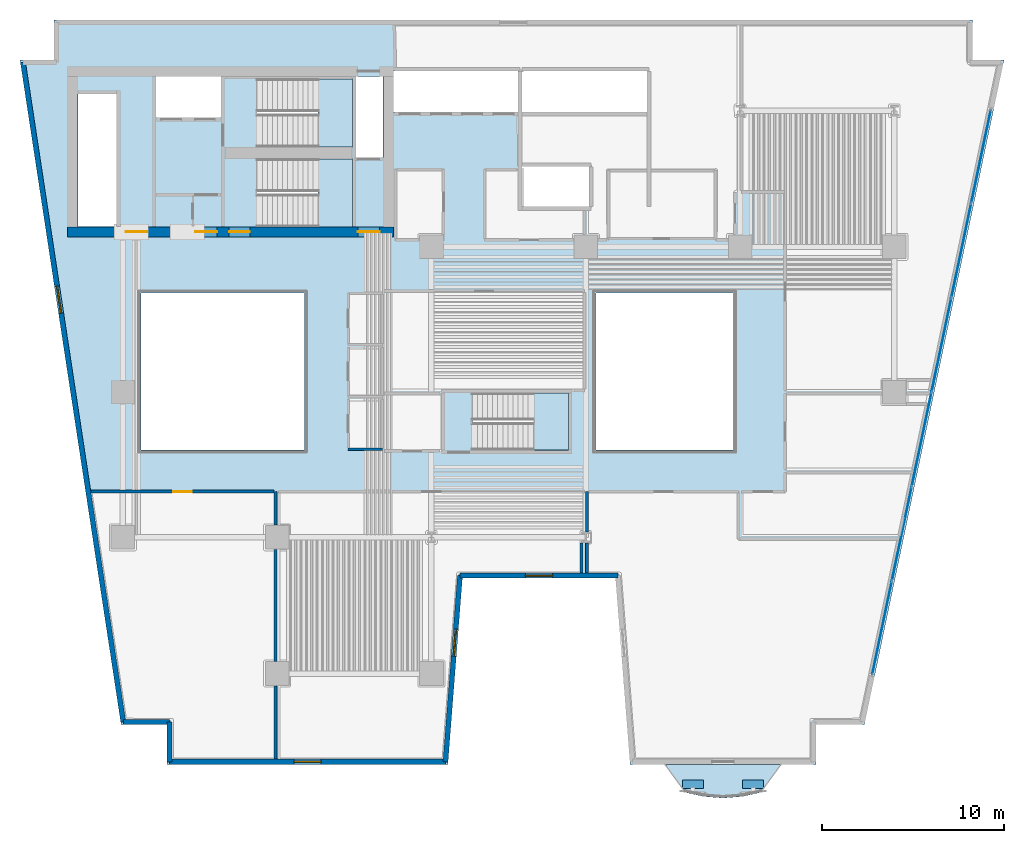
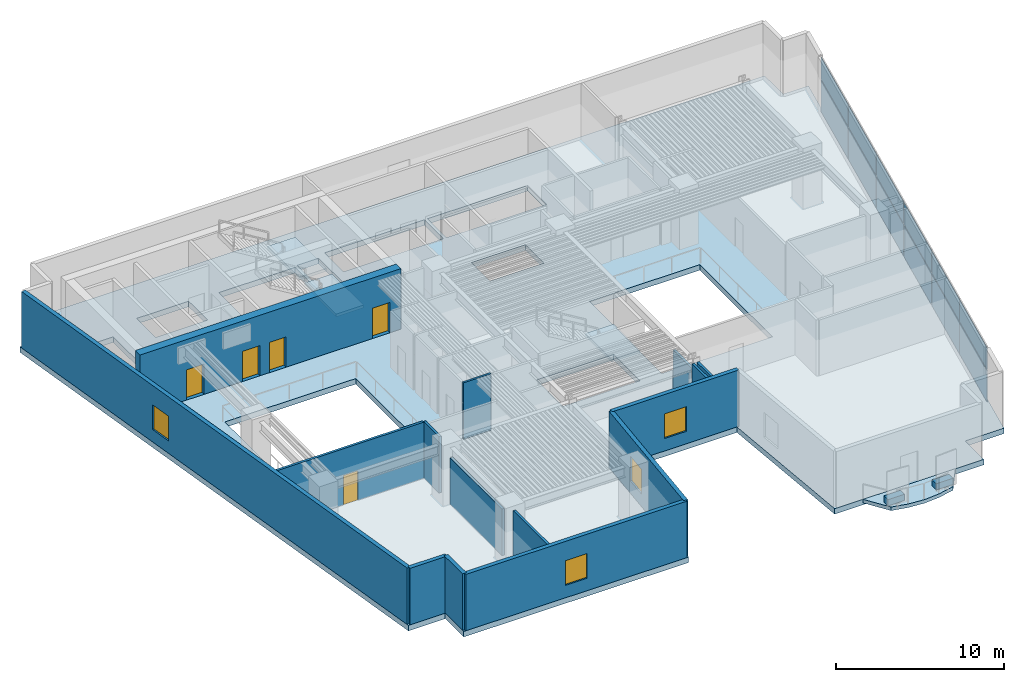
# One storey, part 3 of 12: 15 walls, 14 plates, 5 doors, 5 slabs, 4 windows, 9 openings, 4 elements without a shape of their own.
"""IFC4 building model written with IfcOpenShell, lengths in metres."""

from ifc_helpers import new_model, si_unit, direction, frame, frame_2d, origin, origin_2d, place, context, subcontext, project, spatial, polyline, rectangle, outline, extrude, material, layer, layer_set, type_object, element, fill, aggregate, save


model = new_model("IFC4")

# Units and contexts
model_context = context("Model", 3, precision=1e-05, world=origin(), true_north=direction((0.0, 1.0)))
body_context = subcontext(model_context, "Body", "Model", "MODEL_VIEW")
ifc_project = project(units=[si_unit("LENGTHUNIT", "METRE"), si_unit("AREAUNIT", "SQUARE_METRE"), si_unit("VOLUMEUNIT", "CUBIC_METRE"), si_unit("PLANEANGLEUNIT", "RADIAN"), si_unit("MASSUNIT", "GRAM", prefix="KILO")], contexts=[model_context])

# Site, building, storey
site_placement = place(None, origin())
site = spatial("IfcSite", under=ifc_project, at=site_placement, CompositionType="ELEMENT")
building_placement = place(site_placement, origin())
building = spatial("IfcBuilding", under=site, at=building_placement, Name="Caeloran Harvest Quay", CompositionType="ELEMENT")
storey_placement = place(building_placement, frame((0.0, 0.0, 27.0)))
storey = spatial("IfcBuildingStorey", under=building, at=storey_placement, Name="L06", CompositionType="ELEMENT", Elevation=27.0)

# Slab
ifc_material_1 = material(Name="Concrete C50/60", Category="concrete")
ifc_layer_1 = layer(ifc_material_1, 0.260009765625, Name="Concrete C50/60")
ifc_layer_set_1 = layer_set([ifc_layer_1], Name="Concrete C50/60")
slab_type_1 = type_object("IfcSlabType", Name="BALCONY-BL-260", PredefinedType="FLOOR", material=ifc_layer_set_1)
slab_1_placement = place(storey_placement, frame((0.0, 0.0, -0.260009765625)))
element("IfcSlab", 1, at=slab_1_placement, inside=storey, type_object=slab_type_1, Name="L06 Scalloped Cantilevered Planted Balcony Slab", PredefinedType="FLOOR", context=body_context, shape_type="SweptSolid", body=[
    extrude(outline(polyline([(43.686767578125, 0.965087890625), (42.622802734375, 0.72705078125), (41.55859375, 0.639892578125), (40.494384765625, 0.72705078125), (39.43017578125, 0.965087890625), (38.379638671875, 2.5), (44.7373046875, 2.5), (43.686767578125, 0.965087890625)])), origin(), (0.0, 0.0, 1.0), 0.260009765625),
])

# Curtain wall, plates
ifc_material_2 = material(Name="Aluminium 6063-T6 and Low-E Glazing", Category="aluminium")
ifc_layer_2 = layer(ifc_material_2, 0.199951171875, Name="Aluminium 6063-T6 and Low-E Glazing")
ifc_layer_set_2 = layer_set([ifc_layer_2], Name="Aluminium 6063-T6 and Low-E Glazing")
curtain_wall_type = type_object("IfcCurtainWallType", Name="CW-SYS-CW-2", PredefinedType="USERDEFINED", material=ifc_layer_set_2)
curtain_wall_placement = place(storey_placement, origin())
curtain_wall = element("IfcCurtainWall", 2, at=curtain_wall_placement, inside=storey, type_object=curtain_wall_type, Name="L06 Unitised Curtain Wall CW-2 Run 9", ObjectType="CURTAIN_WALL", PredefinedType="USERDEFINED")
ifc_material_3 = material(Name="Low-E Double Glazed Vision Glass Unit", Category="glass")
ifc_layer_3 = layer(ifc_material_3, 0.035888671875, Name="Low-E Double Glazed Vision Glass Unit")
ifc_layer_set_3 = layer_set([ifc_layer_3], Name="Low-E Double Glazed Vision Glass Unit")
plate_type_1 = type_object("IfcPlateType", Name="CW-VISION-PANEL", PredefinedType="CURTAIN_PANEL", material=ifc_layer_set_3)
plate_1_placement = place(storey_placement, frame((55.780029296875, 35.993408203125, 0.080078125), z_axis=(0.0, 0.0, 1.0), x_axis=(-0.205582960081, -0.978639691881, 0.0)))
plate_1 = element("IfcPlate", 3, at=plate_1_placement, type_object=plate_type_1, Name="CW-2 panel 1.1", PredefinedType="CURTAIN_PANEL", context=body_context, shape_type="SweptSolid", body=[
    extrude(rectangle(XDim=5.19873046875, YDim=0.035888671875, at=origin_2d()), origin(), (0.0, 0.0, 1.0), 2.280029296875),
])
plate_2_placement = place(storey_placement, frame((55.780029296875, 35.993408203125, 2.43994140625), z_axis=(0.0, 0.0, 1.0), x_axis=(-0.205582960081, -0.978639691881, 0.0)))
plate_2 = element("IfcPlate", 4, at=plate_2_placement, type_object=plate_type_1, Name="CW-2 panel 1.2", PredefinedType="CURTAIN_PANEL", context=body_context, shape_type="SweptSolid", body=[
    extrude(rectangle(XDim=5.19873046875, YDim=0.035888671875, at=origin_2d()), origin(), (0.0, 0.0, 1.0), 1.580078125),
])
plate_3_placement = place(storey_placement, frame((54.690673828125, 30.807861328125, 0.080078125), z_axis=(0.0, 0.0, 1.0), x_axis=(-0.205582960081, -0.978639691881, 0.0)))
plate_3 = element("IfcPlate", 5, at=plate_3_placement, type_object=plate_type_1, Name="CW-2 panel 2.1", PredefinedType="CURTAIN_PANEL", context=body_context, shape_type="SweptSolid", body=[
    extrude(rectangle(XDim=5.23876953125, YDim=0.035888671875, at=origin_2d()), origin(), (0.0, 0.0, 1.0), 2.280029296875),
])
plate_4_placement = place(storey_placement, frame((54.690673828125, 30.807861328125, 2.43994140625), z_axis=(0.0, 0.0, 1.0), x_axis=(-0.205582960081, -0.978639691881, 0.0)))
plate_4 = element("IfcPlate", 6, at=plate_4_placement, type_object=plate_type_1, Name="CW-2 panel 2.2", PredefinedType="CURTAIN_PANEL", context=body_context, shape_type="SweptSolid", body=[
    extrude(rectangle(XDim=5.23876953125, YDim=0.035888671875, at=origin_2d()), origin(), (0.0, 0.0, 1.0), 1.580078125),
])
plate_5_placement = place(storey_placement, frame((53.59716796875, 25.6025390625, 0.080078125), z_axis=(0.0, 0.0, 1.0), x_axis=(-0.205582960081, -0.978639691881, 0.0)))
plate_5 = element("IfcPlate", 7, at=plate_5_placement, type_object=plate_type_1, Name="CW-2 panel 3.1", PredefinedType="CURTAIN_PANEL", context=body_context, shape_type="SweptSolid", body=[
    extrude(rectangle(XDim=5.23876953125, YDim=0.035888671875, at=origin_2d()), origin(), (0.0, 0.0, 1.0), 2.280029296875),
])
plate_6_placement = place(storey_placement, frame((53.59716796875, 25.6025390625, 2.43994140625), z_axis=(0.0, 0.0, 1.0), x_axis=(-0.205582960081, -0.978639691881, 0.0)))
plate_6 = element("IfcPlate", 8, at=plate_6_placement, type_object=plate_type_1, Name="CW-2 panel 3.2", PredefinedType="CURTAIN_PANEL", context=body_context, shape_type="SweptSolid", body=[
    extrude(rectangle(XDim=5.23876953125, YDim=0.035888671875, at=origin_2d()), origin(), (0.0, 0.0, 1.0), 1.580078125),
])
plate_7_placement = place(storey_placement, frame((52.503662109375, 20.3974609375, 0.080078125), z_axis=(0.0, 0.0, 1.0), x_axis=(-0.205582960081, -0.978639691881, 0.0)))
plate_7 = element("IfcPlate", 9, at=plate_7_placement, type_object=plate_type_1, Name="CW-2 panel 4.1", PredefinedType="CURTAIN_PANEL", context=body_context, shape_type="SweptSolid", body=[
    extrude(rectangle(XDim=5.23876953125, YDim=0.035888671875, at=origin_2d()), origin(), (0.0, 0.0, 1.0), 2.280029296875),
])
plate_8_placement = place(storey_placement, frame((52.503662109375, 20.3974609375, 2.43994140625), z_axis=(0.0, 0.0, 1.0), x_axis=(-0.205582960081, -0.978639691881, 0.0)))
plate_8 = element("IfcPlate", 10, at=plate_8_placement, type_object=plate_type_1, Name="CW-2 panel 4.2", PredefinedType="CURTAIN_PANEL", context=body_context, shape_type="SweptSolid", body=[
    extrude(rectangle(XDim=5.23876953125, YDim=0.035888671875, at=origin_2d()), origin(), (0.0, 0.0, 1.0), 1.580078125),
])
plate_9_placement = place(storey_placement, frame((51.41015625, 15.192138671875, 0.080078125), z_axis=(0.0, 0.0, 1.0), x_axis=(-0.205582960081, -0.978639691881, 0.0)))
plate_9 = element("IfcPlate", 11, at=plate_9_placement, type_object=plate_type_1, Name="CW-2 panel 5.1", PredefinedType="CURTAIN_PANEL", context=body_context, shape_type="SweptSolid", body=[
    extrude(rectangle(XDim=5.23876953125, YDim=0.035888671875, at=origin_2d()), origin(), (0.0, 0.0, 1.0), 2.280029296875),
])
plate_10_placement = place(storey_placement, frame((51.41015625, 15.192138671875, 2.43994140625), z_axis=(0.0, 0.0, 1.0), x_axis=(-0.205582960081, -0.978639691881, 0.0)))
plate_10 = element("IfcPlate", 12, at=plate_10_placement, type_object=plate_type_1, Name="CW-2 panel 5.2", PredefinedType="CURTAIN_PANEL", context=body_context, shape_type="SweptSolid", body=[
    extrude(rectangle(XDim=5.23876953125, YDim=0.035888671875, at=origin_2d()), origin(), (0.0, 0.0, 1.0), 1.580078125),
])
plate_11_placement = place(storey_placement, frame((50.321044921875, 10.006591796875, 0.080078125), z_axis=(0.0, 0.0, 1.0), x_axis=(-0.205582960081, -0.978639691881, 0.0)))
plate_11 = element("IfcPlate", 13, at=plate_11_placement, type_object=plate_type_1, Name="CW-2 panel 6.1", PredefinedType="CURTAIN_PANEL", context=body_context, shape_type="SweptSolid", body=[
    extrude(rectangle(XDim=5.19873046875, YDim=0.035888671875, at=origin_2d()), origin(), (0.0, 0.0, 1.0), 2.280029296875),
])
plate_12_placement = place(storey_placement, frame((50.321044921875, 10.006591796875, 2.43994140625), z_axis=(0.0, 0.0, 1.0), x_axis=(-0.205582960081, -0.978639691881, 0.0)))
plate_12 = element("IfcPlate", 14, at=plate_12_placement, type_object=plate_type_1, Name="CW-2 panel 6.2", PredefinedType="CURTAIN_PANEL", context=body_context, shape_type="SweptSolid", body=[
    extrude(rectangle(XDim=5.19873046875, YDim=0.035888671875, at=origin_2d()), origin(), (0.0, 0.0, 1.0), 1.580078125),
])
aggregate(curtain_wall, [plate_1, plate_2, plate_3, plate_4, plate_5, plate_6, plate_7, plate_8, plate_9, plate_10, plate_11, plate_12])

# Plates
ifc_material_4 = material(Name="Precast concrete C50/60", Category="concrete")
ifc_layer_4 = layer(ifc_material_4, 0.449951171875, Name="Precast concrete C50/60")
ifc_layer_set_4 = layer_set([ifc_layer_4], Name="Precast concrete C50/60")
plate_type_2 = type_object("IfcPlateType", Name="PLANTER-TROUGH-450", PredefinedType="USERDEFINED", material=ifc_layer_set_4)
for number, where, z_axis, x_axis, name in (
    (15, (43.218505859375, 1.39990234375, 0.0), (0.0, 0.0, 1.0), (1.0, 0.0, 0.0), "L06 Balcony Vertical-Greenery Precast PLANTER Trough 1"),
    (16, (39.8984375, 1.39990234375, 0.0), (0.0, 0.0, 1.0), (1.0, 0.0, 0.0), "L06 Balcony Vertical-Greenery Precast PLANTER Trough 2"),
):
    element("IfcPlate", number, at=place(storey_placement, frame(where, z_axis=z_axis, x_axis=x_axis)), inside=storey, type_object=plate_type_2, Name=name, ObjectType="PLANTER", PredefinedType="USERDEFINED", context=body_context, shape_type="SweptSolid", body=[
        extrude(rectangle(XDim=1.14990234375, YDim=0.47998046875, at=origin_2d()), origin(), (0.0, 0.0, 1.0), 0.449951171875),
    ])

# Slab
ifc_layer_5 = layer(ifc_material_1, 0.39990234375, Name="Concrete C50/60")
ifc_layer_set_5 = layer_set([ifc_layer_5], Name="Concrete C50/60")
slab_type_2 = type_object("IfcSlabType", Name="SLAB-FS-400", PredefinedType="FLOOR", material=ifc_layer_set_5)
slab_2_placement = place(storey_placement, frame((0.0, 0.0, -0.39990234375)))
element("IfcSlab", 17, at=slab_2_placement, inside=storey, type_object=slab_type_2, Name="L06 Structural Floor Slab", PredefinedType="FLOOR", context=body_context, shape_type="SweptSolid", body=[
    extrude(outline(polyline([(10.93701171875, 2.5), (26.403076171875, 2.5), (27.202880859375, 12.75), (35.640380859375, 12.75), (36.4404296875, 2.5), (46.68701171875, 2.5), (46.68701171875, 4.699951171875), (49.34912109375, 4.699951171875), (57.037841796875, 41.300048828125), (55.300048828125, 41.300048828125), (55.300048828125, 43.5), (4.699951171875, 43.5), (4.699951171875, 41.300048828125), (2.834716796875, 41.300048828125), (8.40234375, 4.699951171875), (10.93701171875, 4.699951171875), (10.93701171875, 2.5)]), holes=[polyline([(18.5, 19.800048828125), (9.5, 19.800048828125), (9.5, 28.449951171875), (18.5, 28.449951171875), (18.5, 19.800048828125)]), polyline([(15.89990234375, 32.10009765625), (15.89990234375, 35.85009765625), (21.14990234375, 35.85009765625), (21.14990234375, 32.10009765625), (15.89990234375, 32.10009765625)]), polyline([(8.159912109375, 32.1201171875), (6.02001953125, 32.1201171875), (6.02001953125, 39.419921875), (8.159912109375, 39.419921875), (8.159912109375, 32.1201171875)]), polyline([(21.35009765625, 35.919921875), (21.35009765625, 40.3798828125), (22.830078125, 40.3798828125), (22.830078125, 35.919921875), (21.35009765625, 35.919921875)]), polyline([(15.89990234375, 40.25), (21.14990234375, 40.25), (21.14990234375, 36.5), (15.89990234375, 36.5), (15.89990234375, 40.25)]), polyline([(13.89990234375, 38.1201171875), (10.320068359375, 38.1201171875), (10.320068359375, 40.3798828125), (13.89990234375, 40.3798828125), (13.89990234375, 38.1201171875)]), polyline([(27.75, 22.949951171875), (33.050048828125, 22.949951171875), (33.050048828125, 19.800048828125), (27.75, 19.800048828125), (27.75, 22.949951171875)]), polyline([(34.550048828125, 19.800048828125), (34.550048828125, 28.449951171875), (42.14990234375, 28.449951171875), (42.14990234375, 19.800048828125), (34.550048828125, 19.800048828125)]), polyline([(34.199951171875, 33.219970703125), (30.47998046875, 33.219970703125), (30.47998046875, 35.429931640625), (34.199951171875, 35.429931640625), (34.199951171875, 33.219970703125)]), polyline([(23.419921875, 38.419921875), (23.419921875, 40.679931640625), (30.280029296875, 40.679931640625), (30.280029296875, 38.419921875), (23.419921875, 38.419921875)]), polyline([(30.47998046875, 38.419921875), (30.47998046875, 40.679931640625), (37.3798828125, 40.679931640625), (37.3798828125, 38.419921875), (30.47998046875, 38.419921875)])]), origin(), (0.0, 0.0, 1.0), 0.39990234375),
])

# Stair, slab
stair_type_1 = type_object("IfcStairType", Name="STAIR-STC-180", PredefinedType="HALF_TURN_STAIR", material=ifc_material_1)
stair_1_placement = place(storey_placement, origin())
stair_1 = element("IfcStair", 18, at=stair_1_placement, inside=storey, type_object=stair_type_1, Name="L06 Core Pressurized Exit Stair ST-C1", PredefinedType="HALF_TURN_STAIR")
ifc_layer_6 = layer(ifc_material_1, 0.219970703125, Name="Concrete C50/60")
ifc_layer_set_6 = layer_set([ifc_layer_6], Name="Concrete C50/60")
slab_type_3 = type_object("IfcSlabType", Name="STAIR-LANDING-220", PredefinedType="LANDING", material=ifc_layer_set_6)
slab_3_placement = place(storey_placement, frame((0.0, 0.0, 2.0)))
slab_3 = element("IfcSlab", 19, at=slab_3_placement, type_object=slab_type_3, Name="ST-C1 landing 1", PredefinedType="LANDING", context=body_context, shape_type="SweptSolid", body=[
    extrude(outline(polyline([(19.260009765625, 36.5), (21.14990234375, 36.5), (21.14990234375, 40.25), (19.260009765625, 40.25), (19.260009765625, 36.5)])), origin(), (0.0, 0.0, 1.0), 0.199951171875),
])
aggregate(stair_1, [slab_3])

stair_2_placement = place(storey_placement, origin())
stair_2 = element("IfcStair", 20, at=stair_2_placement, inside=storey, type_object=stair_type_1, Name="L06 Core Pressurized Exit Stair ST-C2", PredefinedType="HALF_TURN_STAIR")
slab_4_placement = place(storey_placement, frame((0.0, 0.0, 2.0)))
slab_4 = element("IfcSlab", 21, at=slab_4_placement, type_object=slab_type_3, Name="ST-C2 landing 1", PredefinedType="LANDING", context=body_context, shape_type="SweptSolid", body=[
    extrude(outline(polyline([(19.260009765625, 32.10009765625), (21.14990234375, 32.10009765625), (21.14990234375, 35.85009765625), (19.260009765625, 35.85009765625), (19.260009765625, 32.10009765625)])), origin(), (0.0, 0.0, 1.0), 0.199951171875),
])
aggregate(stair_2, [slab_4])

stair_type_2 = type_object("IfcStairType", Name="STAIR-STW-150", PredefinedType="HALF_TURN_STAIR", material=ifc_material_1)
stair_3_placement = place(storey_placement, origin())
stair_3 = element("IfcStair", 22, at=stair_3_placement, inside=storey, type_object=stair_type_2, Name="L06 East Wing Protected Exit Stair ST-W1", PredefinedType="HALF_TURN_STAIR")
slab_5_placement = place(storey_placement, frame((0.0, 0.0, 2.0)))
slab_5 = element("IfcSlab", 23, at=slab_5_placement, type_object=slab_type_3, Name="ST-W1 landing 1", PredefinedType="LANDING", context=body_context, shape_type="SweptSolid", body=[
    extrude(outline(polyline([(31.110107421875, 19.800048828125), (33.050048828125, 19.800048828125), (33.050048828125, 22.949951171875), (31.110107421875, 22.949951171875), (31.110107421875, 19.800048828125)])), origin(), (0.0, 0.0, 1.0), 0.199951171875),
])
aggregate(stair_3, [slab_5])

# Walls
ifc_layer_7 = layer(ifc_material_4, 0.280029296875, Name="Precast concrete C50/60")
ifc_layer_set_7 = layer_set([ifc_layer_7], Name="Precast concrete C50/60")
wall_type_1 = type_object("IfcWallType", Name="ENV-WALL-EW-280", PredefinedType="STANDARD", material=ifc_layer_set_7)
wall_1_placement = place(storey_placement, frame((11.076904296875, 2.639892578125, 0.0), z_axis=(0.0, 0.0, 1.0), x_axis=(0.0, 1.0, 0.0)))
element("IfcWall", 24, at=wall_1_placement, inside=storey, type_object=wall_type_1, Name="L06 Exterior Precast Concrete Facade Wall 1", PredefinedType="STANDARD", context=body_context, shape_type="SweptSolid", body=[
    extrude(rectangle(XDim=2.2001953125, YDim=0.280029296875, at=frame_2d((1.10009765625, 0.0))), origin(), (0.0, 0.0, 1.0), 4.10009765625),
])
wall_2_placement = place(storey_placement, frame((11.076904296875, 4.840087890625, 0.0), z_axis=(0.0, 0.0, 1.0), x_axis=(-1.0, 0.0, 0.0)))
element("IfcWall", 25, at=wall_2_placement, inside=storey, type_object=wall_type_1, Name="L06 Exterior Precast Concrete Facade Wall 2", PredefinedType="STANDARD", context=body_context, shape_type="SweptSolid", body=[
    extrude(rectangle(XDim=2.55419921875, YDim=0.280029296875, at=frame_2d((1.277099609375, 0.0))), origin(), (0.0, 0.0, 1.0), 4.10009765625),
])

# Wall, opening, window
wall_3_placement = place(storey_placement, frame((8.522705078125, 4.840087890625, 0.0), z_axis=(0.0, 0.0, 1.0), x_axis=(-0.150394554312, 0.988626055712, 0.0)))
wall_3 = element("IfcWall", 26, at=wall_3_placement, inside=storey, type_object=wall_type_1, Name="L06 Exterior Precast Concrete Facade Wall 3", PredefinedType="STANDARD", context=body_context, shape_type="SweptSolid", body=[
    extrude(rectangle(XDim=36.73779296875, YDim=0.280029296875, at=frame_2d((18.368896484375, 0.0))), origin(), (0.0, 0.0, 1.0), 4.10009765625),
])
opening_1_placement = place(wall_3_placement, frame((22.761962890625, 0.0, 0.89990234375)))
opening_1 = element("IfcOpeningElement", 27, at=opening_1_placement, cuts=wall_3, Name="Opening W-03", PredefinedType="OPENING", context=body_context, shape_type="SweptSolid", body=[
    extrude(rectangle(XDim=1.5, YDim=1.800048828125, at=frame_2d((0.75, 0.89990234375))), frame((0.0, 0.14990234375, 0.0), z_axis=(0.0, -1.0, 0.0), x_axis=(1.0, 0.0, 0.0)), (0.0, 0.0, 1.0), 0.300048828125),
])
ifc_material_5 = material(Name="Aluminium-Framed Low-E Laminated Glass", Category="aluminium")
window_type = type_object("IfcWindowType", Name="WIN-W-03", PartitioningType="SINGLE_PANEL", PredefinedType="WINDOW", material=ifc_material_5)
window_1_placement = place(opening_1_placement, origin())
window_1 = element("IfcWindow", 28, at=window_1_placement, inside=storey, type_object=window_type, Name="L06 Facade Punched Window W-03", OverallHeight=1.800048828125, OverallWidth=1.5, PartitioningType="SINGLE_PANEL", PredefinedType="WINDOW", context=body_context, shape_type="SweptSolid", body=[
    extrude(rectangle(XDim=1.5, YDim=1.800048828125, at=frame_2d((0.75, 0.89990234375))), frame((0.0, 0.030029296875, 0.0), z_axis=(0.0, -1.0, 0.0), x_axis=(1.0, 0.0, 0.0)), (0.0, 0.0, 1.0), 0.06005859375),
])
fill(opening_1, window_1)

wall_4_placement = place(storey_placement, frame((35.77001953125, 12.889892578125, 0.0), z_axis=(0.0, 0.0, 1.0), x_axis=(-1.0, 0.0, 0.0)))
wall_4 = element("IfcWall", 29, at=wall_4_placement, inside=storey, type_object=wall_type_1, Name="L06 Exterior Precast Concrete Facade Wall 14", PredefinedType="STANDARD", context=body_context, shape_type="SweptSolid", body=[
    extrude(rectangle(XDim=8.696533203125, YDim=0.280029296875, at=frame_2d((4.34814453125, 0.0))), origin(), (0.0, 0.0, 1.0), 4.10009765625),
])
opening_2_placement = place(wall_4_placement, frame((3.597900390625, 0.0, 0.89990234375)))
opening_2 = element("IfcOpeningElement", 30, at=opening_2_placement, cuts=wall_4, Name="Opening W-03", PredefinedType="OPENING", context=body_context, shape_type="SweptSolid", body=[
    extrude(rectangle(XDim=1.5, YDim=1.800048828125, at=frame_2d((0.75, 0.89990234375))), frame((0.0, 0.14990234375, 0.0), z_axis=(0.0, -1.0, 0.0), x_axis=(1.0, 0.0, 0.0)), (0.0, 0.0, 1.0), 0.300048828125),
])
window_2_placement = place(opening_2_placement, origin())
window_2 = element("IfcWindow", 31, at=window_2_placement, inside=storey, type_object=window_type, Name="L06 Facade Punched Window W-03", OverallHeight=1.800048828125, OverallWidth=1.5, PartitioningType="SINGLE_PANEL", PredefinedType="WINDOW", context=body_context, shape_type="SweptSolid", body=[
    extrude(rectangle(XDim=1.5, YDim=1.800048828125, at=frame_2d((0.75, 0.89990234375))), frame((0.0, 0.030029296875, 0.0), z_axis=(0.0, -1.0, 0.0), x_axis=(1.0, 0.0, 0.0)), (0.0, 0.0, 1.0), 0.06005859375),
])
fill(opening_2, window_2)

wall_5_placement = place(storey_placement, frame((27.073486328125, 12.889892578125, 0.0), z_axis=(0.0, 0.0, 1.0), x_axis=(-0.077816860153, -0.996967670627, 0.0)))
wall_5 = element("IfcWall", 32, at=wall_5_placement, inside=storey, type_object=wall_type_1, Name="L06 Exterior Precast Concrete Facade Wall 15", PredefinedType="STANDARD", context=body_context, shape_type="SweptSolid", body=[
    extrude(rectangle(XDim=10.28125, YDim=0.280029296875, at=frame_2d((5.140625, 0.0))), origin(), (0.0, 0.0, 1.0), 4.10009765625),
])
opening_3_placement = place(wall_5_placement, frame((2.950927734375, 0.0, 0.89990234375)))
opening_3 = element("IfcOpeningElement", 33, at=opening_3_placement, cuts=wall_5, Name="Opening W-03", PredefinedType="OPENING", context=body_context, shape_type="SweptSolid", body=[
    extrude(rectangle(XDim=1.5, YDim=1.800048828125, at=frame_2d((0.75, 0.89990234375))), frame((0.0, 0.14990234375, 0.0), z_axis=(0.0, -1.0, 0.0), x_axis=(1.0, 0.0, 0.0)), (0.0, 0.0, 1.0), 0.300048828125),
])
window_3_placement = place(opening_3_placement, origin())
window_3 = element("IfcWindow", 34, at=window_3_placement, inside=storey, type_object=window_type, Name="L06 Facade Punched Window W-03", OverallHeight=1.800048828125, OverallWidth=1.5, PartitioningType="SINGLE_PANEL", PredefinedType="WINDOW", context=body_context, shape_type="SweptSolid", body=[
    extrude(rectangle(XDim=1.5, YDim=1.800048828125, at=frame_2d((0.75, 0.89990234375))), frame((0.0, 0.030029296875, 0.0), z_axis=(0.0, -1.0, 0.0), x_axis=(1.0, 0.0, 0.0)), (0.0, 0.0, 1.0), 0.06005859375),
])
fill(opening_3, window_3)

wall_6_placement = place(storey_placement, frame((26.2734375, 2.639892578125, 0.0), z_axis=(0.0, 0.0, 1.0), x_axis=(-1.0, 0.0, 0.0)))
wall_6 = element("IfcWall", 35, at=wall_6_placement, inside=storey, type_object=wall_type_1, Name="L06 Exterior Precast Concrete Facade Wall 16", PredefinedType="STANDARD", context=body_context, shape_type="SweptSolid", body=[
    extrude(rectangle(XDim=15.196533203125, YDim=0.280029296875, at=frame_2d((7.59814453125, 0.0))), origin(), (0.0, 0.0, 1.0), 4.10009765625),
])
opening_4_placement = place(wall_6_placement, frame((6.847900390625, 0.0, 0.89990234375)))
opening_4 = element("IfcOpeningElement", 36, at=opening_4_placement, cuts=wall_6, Name="Opening W-03", PredefinedType="OPENING", context=body_context, shape_type="SweptSolid", body=[
    extrude(rectangle(XDim=1.5, YDim=1.800048828125, at=frame_2d((0.75, 0.89990234375))), frame((0.0, 0.14990234375, 0.0), z_axis=(0.0, -1.0, 0.0), x_axis=(1.0, 0.0, 0.0)), (0.0, 0.0, 1.0), 0.300048828125),
])
window_4_placement = place(opening_4_placement, origin())
window_4 = element("IfcWindow", 37, at=window_4_placement, inside=storey, type_object=window_type, Name="L06 Facade Punched Window W-03", OverallHeight=1.800048828125, OverallWidth=1.5, PartitioningType="SINGLE_PANEL", PredefinedType="WINDOW", context=body_context, shape_type="SweptSolid", body=[
    extrude(rectangle(XDim=1.5, YDim=1.800048828125, at=frame_2d((0.75, 0.89990234375))), frame((0.0, 0.030029296875, 0.0), z_axis=(0.0, -1.0, 0.0), x_axis=(1.0, 0.0, 0.0)), (0.0, 0.0, 1.0), 0.06005859375),
])
fill(opening_4, window_4)

# Walls
ifc_material_6 = material(Name="Moisture-Resistant Cement-Board Sanitary Partition", Category="gypsum")
ifc_layer_8 = layer(ifc_material_6, 0.139892578125, Name="Moisture-Resistant Cement-Board Sanitary Partition")
ifc_layer_set_8 = layer_set([ifc_layer_8], Name="Moisture-Resistant Cement-Board Sanitary Partition")
wall_type_2 = type_object("IfcWallType", Name="INT-WALL-PW-140", PredefinedType="PARTITIONING", material=ifc_layer_set_8)
wall_7_placement = place(storey_placement, frame((22.800048828125, 19.85009765625, 0.0), z_axis=(0.0, 0.0, 1.0), x_axis=(-1.0, 0.0, 0.0)))
element("IfcWall", 38, at=wall_7_placement, inside=storey, type_object=wall_type_2, Name="L06 Accessible Unisex Washroom WC Partition Wall", PredefinedType="PARTITIONING", context=body_context, shape_type="SweptSolid", body=[
    extrude(rectangle(XDim=1.89013671875, YDim=0.139892578125, at=frame_2d((0.945068359375, 0.0))), origin(), (0.0, 0.0, 1.0), 4.10009765625),
])
ifc_material_7 = material(Name="Autoclaved Aerated Concrete Blockwork", Category="masonry")
ifc_layer_9 = layer(ifc_material_7, 0.1650390625, Name="Autoclaved Aerated Concrete Blockwork")
ifc_layer_set_9 = layer_set([ifc_layer_9], Name="Autoclaved Aerated Concrete Blockwork")
wall_type_3 = type_object("IfcWallType", Name="INT-WALL-PW-165", PredefinedType="PARTITIONING", material=ifc_layer_set_9)
wall_8_placement = place(storey_placement, frame((34.080078125, 13.034912109375, 0.0), z_axis=(0.0, 0.0, 1.0), x_axis=(0.0, 1.0, 0.0)))
element("IfcWall", 39, at=wall_8_placement, inside=storey, type_object=wall_type_3, Name="Leafy-Greens Hydroponic Growing Hall Partition Wall", PredefinedType="PARTITIONING", context=body_context, shape_type="SweptSolid", body=[
    extrude(rectangle(XDim=1.655517578125, YDim=0.1650390625, at=frame_2d((0.82763671875, 0.0))), origin(), (0.0, 0.0, 1.0), 4.10009765625),
])
wall_9_placement = place(storey_placement, frame((34.080078125, 15.3095703125, 0.0), z_axis=(0.0, 0.0, 1.0), x_axis=(0.0, 1.0, 0.0)))
element("IfcWall", 40, at=wall_9_placement, inside=storey, type_object=wall_type_3, Name="Leafy-Greens Hydroponic Growing Hall Partition Wall", PredefinedType="PARTITIONING", context=body_context, shape_type="SweptSolid", body=[
    extrude(rectangle(XDim=2.21044921875, YDim=0.1650390625, at=frame_2d((1.105224609375, 0.0))), origin(), (0.0, 0.0, 1.0), 3.284912109375),
])
wall_10_placement = place(storey_placement, frame((16.919921875, 17.52001953125, 0.0), z_axis=(0.0, 0.0, 1.0), x_axis=(0.0, -1.0, 0.0)))
element("IfcWall", 41, at=wall_10_placement, inside=storey, type_object=wall_type_3, Name="Aeroponic Root-Mist Growing Chamber Partition Wall", PredefinedType="PARTITIONING", context=body_context, shape_type="SweptSolid", body=[
    extrude(rectangle(XDim=1.844970703125, YDim=0.1650390625, at=frame_2d((0.92236328125, 0.0))), origin(), (0.0, 0.0, 1.0), 4.10009765625),
])
wall_11_placement = place(storey_placement, frame((16.919921875, 14.324951171875, 0.0), z_axis=(0.0, 0.0, 1.0), x_axis=(0.0, -1.0, 0.0)))
element("IfcWall", 42, at=wall_11_placement, inside=storey, type_object=wall_type_3, Name="Aeroponic Root-Mist Growing Chamber Partition Wall", PredefinedType="PARTITIONING", context=body_context, shape_type="SweptSolid", body=[
    extrude(rectangle(XDim=6.14990234375, YDim=0.1650390625, at=frame_2d((3.074951171875, 0.0))), origin(), (0.0, 0.0, 1.0), 3.385009765625),
])
wall_12_placement = place(storey_placement, frame((16.919921875, 6.824951171875, 0.0), z_axis=(0.0, 0.0, 1.0), x_axis=(0.0, -1.0, 0.0)))
element("IfcWall", 43, at=wall_12_placement, inside=storey, type_object=wall_type_3, Name="Aeroponic Root-Mist Growing Chamber Partition Wall", PredefinedType="PARTITIONING", context=body_context, shape_type="SweptSolid", body=[
    extrude(rectangle(XDim=4.0400390625, YDim=0.1650390625, at=frame_2d((2.02001953125, 0.0))), origin(), (0.0, 0.0, 1.0), 4.10009765625),
])

# Wall, opening, door
wall_13_placement = place(storey_placement, frame((6.740478515625, 17.52001953125, 0.0), z_axis=(0.0, 0.0, 1.0), x_axis=(1.0, 0.0, 0.0)))
wall_13 = element("IfcWall", 44, at=wall_13_placement, inside=storey, type_object=wall_type_3, Name="Aeroponic Root-Mist Growing Chamber Partition Wall", PredefinedType="PARTITIONING", context=body_context, shape_type="SweptSolid", body=[
    extrude(rectangle(XDim=10.092041015625, YDim=0.1650390625, at=frame_2d((5.0458984375, 0.0))), origin(), (0.0, 0.0, 1.0), 4.10009765625),
])
opening_5_placement = place(wall_13_placement, frame((4.5458984375, 0.0, 0.0)))
opening_5 = element("IfcOpeningElement", 45, at=opening_5_placement, cuts=wall_13, Name="Opening ID-01", PredefinedType="OPENING", context=body_context, shape_type="SweptSolid", body=[
    extrude(rectangle(XDim=1.0, YDim=2.14990234375, at=frame_2d((0.5, 1.074951171875))), frame((0.0, 0.092529296875, 0.0), z_axis=(0.0, -1.0, 0.0), x_axis=(1.0, 0.0, 0.0)), (0.0, 0.0, 1.0), 0.18505859375),
])
ifc_material_8 = material(Name="FSC Solid-Core Ash Timber and Acoustic Seal", Category="wood")
door_type_1 = type_object("IfcDoorType", Name="INTDOOR-ID-01", OperationType="NOTDEFINED", PredefinedType="DOOR", material=ifc_material_8)
door_1_placement = place(opening_5_placement, origin())
door_1 = element("IfcDoor", 46, at=door_1_placement, inside=storey, type_object=door_type_1, Name="Aeroponic Root-Mist Growing Chamber Access Door", OperationType="SINGLE_SWING_RIGHT", OverallHeight=2.14990234375, OverallWidth=1.0, PredefinedType="DOOR", context=body_context, shape_type="SweptSolid", body=[
    extrude(rectangle(XDim=1.0, YDim=2.14990234375, at=frame_2d((0.5, 1.074951171875))), frame((0.0, 0.02490234375, 0.0), z_axis=(0.0, -1.0, 0.0), x_axis=(1.0, 0.0, 0.0)), (0.0, 0.0, 1.0), 0.050048828125),
])
fill(opening_5, door_1)

# Wall
wall_14_placement = place(storey_placement, frame((33.758056640625, 14.6904296875, 0.0), z_axis=(0.0, 0.0, 1.0), x_axis=(0.0, -1.0, 0.0)))
element("IfcWall", 47, at=wall_14_placement, inside=storey, type_object=wall_type_3, Name="Seedling Nursery Room Partition Wall", PredefinedType="PARTITIONING", context=body_context, shape_type="SweptSolid", body=[
    extrude(rectangle(XDim=1.655517578125, YDim=0.1650390625, at=frame_2d((0.82763671875, 0.0))), origin(), (0.0, 0.0, 1.0), 4.10009765625),
])

# Wall, openings, doors
ifc_material_9 = material(Name="Concrete C80/95", Category="concrete")
ifc_layer_10 = layer(ifc_material_9, 0.550048828125, Name="Concrete C80/95")
ifc_layer_set_10 = layer_set([ifc_layer_10], Name="Concrete C80/95")
wall_type_4 = type_object("IfcWallType", Name="STR-WALL-CW-550", PredefinedType="SHEAR", material=ifc_layer_set_10)
wall_15_placement = place(storey_placement, frame((5.449951171875, 31.824951171875, 0.0), z_axis=(0.0, 0.0, 1.0), x_axis=(1.0, 0.0, 0.0)))
wall_15 = element("IfcWall", 48, at=wall_15_placement, inside=storey, type_object=wall_type_4, Name="L06 Rear Core Shear Wall S", PredefinedType="SHEAR", context=body_context, shape_type="SweptSolid", body=[
    extrude(rectangle(XDim=17.949951171875, YDim=0.550048828125, at=frame_2d((8.97509765625, 0.0))), origin(), (0.0, 0.0, 1.0), 4.39990234375),
])
opening_6_placement = place(wall_15_placement, frame((3.199951171875, 0.0, 0.0)))
opening_6 = element("IfcOpeningElement", 49, at=opening_6_placement, cuts=wall_15, Name="Opening FD-01", PredefinedType="OPENING", context=body_context, shape_type="SweptSolid", body=[
    extrude(rectangle(XDim=1.199951171875, YDim=2.199951171875, at=frame_2d((0.60009765625, 1.10009765625))), frame((0.0, 0.28515625, 0.0), z_axis=(0.0, -1.0, 0.0), x_axis=(1.0, 0.0, 0.0)), (0.0, 0.0, 1.0), 0.570068359375),
])
opening_7_placement = place(wall_15_placement, frame((7.050048828125, 0.0, 0.0)))
opening_7 = element("IfcOpeningElement", 50, at=opening_7_placement, cuts=wall_15, Name="Opening FD-01", PredefinedType="OPENING", context=body_context, shape_type="SweptSolid", body=[
    extrude(rectangle(XDim=1.199951171875, YDim=2.199951171875, at=frame_2d((0.60009765625, 1.10009765625))), frame((0.0, 0.28515625, 0.0), z_axis=(0.0, -1.0, 0.0), x_axis=(1.0, 0.0, 0.0)), (0.0, 0.0, 1.0), 0.570068359375),
])
opening_8_placement = place(wall_15_placement, frame((8.89990234375, 0.0, 0.0)))
opening_8 = element("IfcOpeningElement", 51, at=opening_8_placement, cuts=wall_15, Name="Opening SD-01", PredefinedType="OPENING", context=body_context, shape_type="SweptSolid", body=[
    extrude(rectangle(XDim=1.14990234375, YDim=2.199951171875, at=frame_2d((0.574951171875, 1.10009765625))), frame((0.0, 0.28515625, 0.0), z_axis=(0.0, -1.0, 0.0), x_axis=(1.0, 0.0, 0.0)), (0.0, 0.0, 1.0), 0.570068359375),
])
opening_9_placement = place(wall_15_placement, frame((16.0, 0.0, 0.0)))
opening_9 = element("IfcOpeningElement", 52, at=opening_9_placement, cuts=wall_15, Name="Opening FD-01", PredefinedType="OPENING", context=body_context, shape_type="SweptSolid", body=[
    extrude(rectangle(XDim=1.199951171875, YDim=2.199951171875, at=frame_2d((0.60009765625, 1.10009765625))), frame((0.0, 0.28515625, 0.0), z_axis=(0.0, -1.0, 0.0), x_axis=(1.0, 0.0, 0.0)), (0.0, 0.0, 1.0), 0.570068359375),
])
ifc_material_10 = material(Name="Steel", Category="steel")
door_type_2 = type_object("IfcDoorType", Name="INTDOOR-FD-01", OperationType="NOTDEFINED", PredefinedType="DOOR", material=ifc_material_10)
door_2_placement = place(opening_6_placement, origin())
door_2 = element("IfcDoor", 53, at=door_2_placement, inside=storey, type_object=door_type_2, Name="L06 High-Rise Lift Lobby Fire Door", OperationType="SINGLE_SWING_LEFT", OverallHeight=2.199951171875, OverallWidth=1.199951171875, PredefinedType="DOOR", context=body_context, shape_type="SweptSolid", body=[
    extrude(rectangle(XDim=1.199951171875, YDim=2.199951171875, at=frame_2d((0.60009765625, 1.10009765625))), frame((0.0, 0.02490234375, 0.0), z_axis=(0.0, -1.0, 0.0), x_axis=(1.0, 0.0, 0.0)), (0.0, 0.0, 1.0), 0.050048828125),
])
fill(opening_6, door_2)
door_3_placement = place(opening_7_placement, origin())
door_3 = element("IfcDoor", 54, at=door_3_placement, inside=storey, type_object=door_type_2, Name="L06 Firefighting Lobby Vestibule Fire Door", OperationType="SINGLE_SWING_RIGHT", OverallHeight=2.199951171875, OverallWidth=1.199951171875, PredefinedType="DOOR", context=body_context, shape_type="SweptSolid", body=[
    extrude(rectangle(XDim=1.199951171875, YDim=2.199951171875, at=frame_2d((0.60009765625, 1.10009765625))), frame((0.0, 0.02490234375, 0.0), z_axis=(0.0, -1.0, 0.0), x_axis=(1.0, 0.0, 0.0)), (0.0, 0.0, 1.0), 0.050048828125),
])
fill(opening_7, door_3)
door_4_placement = place(opening_9_placement, origin())
door_4 = element("IfcDoor", 55, at=door_4_placement, inside=storey, type_object=door_type_2, Name="L06 Service Lift Lobby Fire Door", OperationType="SINGLE_SWING_RIGHT", OverallHeight=2.199951171875, OverallWidth=1.199951171875, PredefinedType="DOOR", context=body_context, shape_type="SweptSolid", body=[
    extrude(rectangle(XDim=1.199951171875, YDim=2.199951171875, at=frame_2d((0.60009765625, 1.10009765625))), frame((0.0, 0.02490234375, 0.0), z_axis=(0.0, -1.0, 0.0), x_axis=(1.0, 0.0, 0.0)), (0.0, 0.0, 1.0), 0.050048828125),
])
fill(opening_9, door_4)
door_type_3 = type_object("IfcDoorType", Name="INTDOOR-SD-01", OperationType="NOTDEFINED", PredefinedType="DOOR", material=ifc_material_10)
door_5_placement = place(opening_8_placement, origin())
door_5 = element("IfcDoor", 56, at=door_5_placement, inside=storey, type_object=door_type_3, Name="L06 Protected Stair ST-C2 Exit Door", OperationType="SINGLE_SWING_LEFT", OverallHeight=2.199951171875, OverallWidth=1.14990234375, PredefinedType="DOOR", context=body_context, shape_type="SweptSolid", body=[
    extrude(rectangle(XDim=1.14990234375, YDim=2.199951171875, at=frame_2d((0.574951171875, 1.10009765625))), frame((0.0, 0.02490234375, 0.0), z_axis=(0.0, -1.0, 0.0), x_axis=(1.0, 0.0, 0.0)), (0.0, 0.0, 1.0), 0.050048828125),
])
fill(opening_8, door_5)

save(model, "model.ifc")
